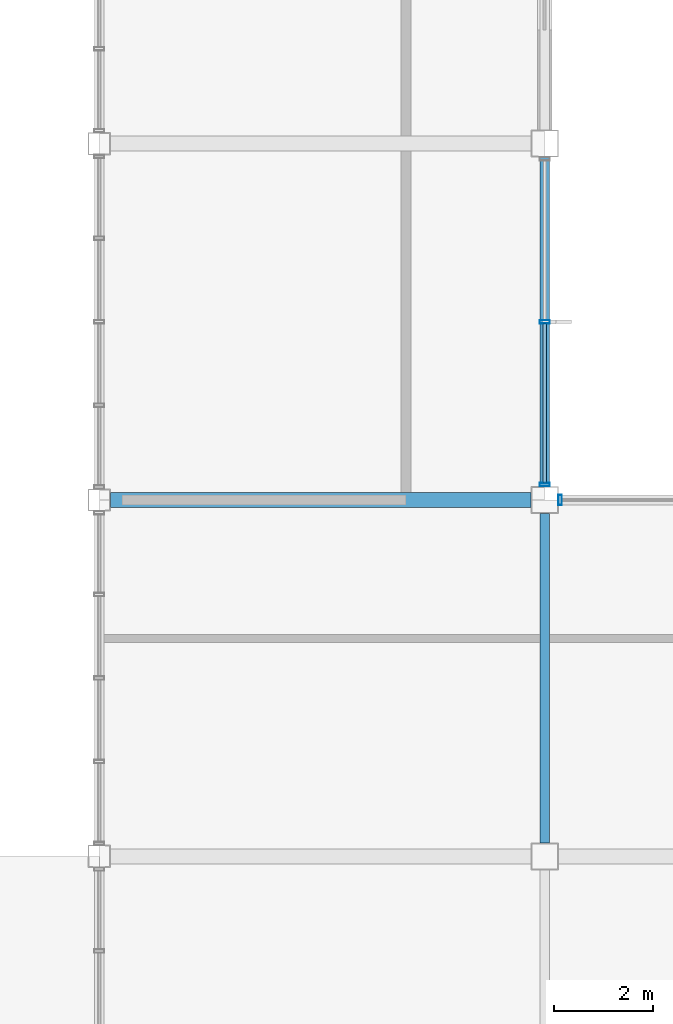
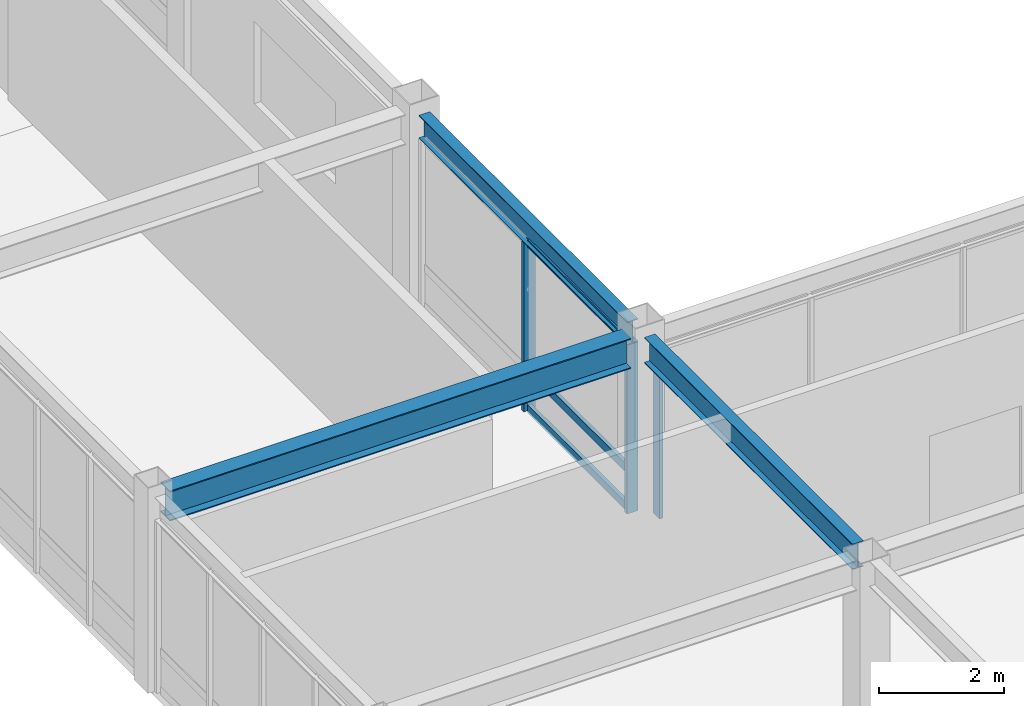
# One storey, part 33 of 113: 6 members, 3 beams, 2 elements without a shape of their own.
"""IFC4 building model written with IfcOpenShell, lengths in metres."""

from ifc_helpers import new_model, si_unit, direction, frame, origin, origin_2d, place, context, subcontext, project, spatial, hollow_rectangle, i_section, extrude, material, material_profile, profile_set, type_object, element, aggregate, save


model = new_model("IFC4")

# Units and contexts
model_context = context("Model", 3, precision=1e-05, world=origin(), true_north=direction((0.0, 1.0)))
body_context = subcontext(model_context, "Body", "Model", "MODEL_VIEW")
ifc_project = project(units=[si_unit("LENGTHUNIT", "METRE"), si_unit("AREAUNIT", "SQUARE_METRE"), si_unit("VOLUMEUNIT", "CUBIC_METRE"), si_unit("PLANEANGLEUNIT", "RADIAN"), si_unit("MASSUNIT", "GRAM", prefix="KILO")], contexts=[model_context])

# Site, building, storey
site_placement = place(None, origin())
site = spatial("IfcSite", under=ifc_project, at=site_placement, CompositionType="ELEMENT")
building_placement = place(site_placement, origin())
building = spatial("IfcBuilding", under=site, at=building_placement, Name="Kazanami Central Library", CompositionType="ELEMENT")
storey_placement = place(building_placement, frame((0.0, 0.0, 8.800048828125)))
storey = spatial("IfcBuildingStorey", under=building, at=storey_placement, Name="L03", CompositionType="ELEMENT", Elevation=8.800048828125)

# Beams
ifc_material_1 = material(Name="Steel SN490B (325 MPa)", Category="steel")
ifc_material_profile_1 = material_profile(ifc_material_1, i_section(OverallWidth=0.300048828125, OverallDepth=0.587890625, WebThickness=0.011962890625, FlangeThickness=0.02001953125, at=origin_2d()), Name="H-588x300x12x20")
ifc_profile_set_1 = profile_set([ifc_material_profile_1], Name="Steel SN490B (325 MPa)")
beam_type_1 = type_object("IfcBeamType", Name="BM-G-X2", PredefinedType="BEAM", material=ifc_profile_set_1)
beam_1_placement = place(storey_placement, frame((45.222900390625, 36.0, 3.450927734375), z_axis=(1.0, 0.0, 0.0), x_axis=(0.0, 1.0, 0.0)))
element("IfcBeam", 1, at=beam_1_placement, inside=storey, type_object=beam_type_1, Name="Girder G-X2 L03 F/6-7", PredefinedType="BEAM", context=body_context, shape_type="SweptSolid", body=[
    extrude(i_section(OverallWidth=0.300048828125, OverallDepth=0.587890625, WebThickness=0.011962890625, FlangeThickness=0.02001953125, at=origin_2d()), origin(), (0.0, 0.0, 1.0), 8.504150390625),
])
ifc_material_profile_2 = material_profile(ifc_material_1, i_section(OverallWidth=0.199951171875, OverallDepth=0.5, WebThickness=0.010009765625, FlangeThickness=0.01611328125, at=origin_2d()), Name="H-500x200x10x16")
ifc_profile_set_2 = profile_set([ifc_material_profile_2], Name="Steel SN490B (325 MPa)")
beam_type_2 = type_object("IfcBeamType", Name="BM-G-Y2", PredefinedType="BEAM", material=ifc_profile_set_2)
beam_2_placement = place(storey_placement, frame((54.0, 29.072998046875, 3.530029296875), z_axis=(0.0, 1.0, 0.0), x_axis=(-1.0, 0.0, 0.0)))
element("IfcBeam", 2, at=beam_2_placement, inside=storey, type_object=beam_type_2, Name="Girder G-Y2 L03 7/E-F", PredefinedType="BEAM", context=body_context, shape_type="SweptSolid", body=[
    extrude(i_section(OverallWidth=0.199951171875, OverallDepth=0.5, WebThickness=0.010009765625, FlangeThickness=0.01611328125, at=origin_2d()), origin(), (0.0, 0.0, 1.0), 6.654052734375),
])
ifc_material_profile_3 = material_profile(ifc_material_1, i_section(OverallWidth=0.199951171875, OverallDepth=0.449951171875, WebThickness=0.009033203125, FlangeThickness=0.013916015625, at=origin_2d()), Name="H-450x200x9x14")
ifc_profile_set_3 = profile_set([ifc_material_profile_3], Name="Steel SN490B (325 MPa)")
beam_type_3 = type_object("IfcBeamType", Name="BM-SP-2", PredefinedType="SPANDREL", material=ifc_profile_set_3)
beam_3_placement = place(storey_placement, frame((54.0, 36.27294921875, 3.52001953125), z_axis=(0.0, 1.0, 0.0), x_axis=(-1.0, 0.0, 0.0)))
element("IfcBeam", 3, at=beam_3_placement, inside=storey, type_object=beam_type_3, Name="Girder SP-2 L03 7/F-G", PredefinedType="SPANDREL", context=body_context, shape_type="SweptSolid", body=[
    extrude(i_section(OverallWidth=0.199951171875, OverallDepth=0.449951171875, WebThickness=0.009033203125, FlangeThickness=0.013916015625, at=origin_2d()), origin(), (0.0, 0.0, 1.0), 6.654052734375),
])

# Curtain wall, member
ifc_material_2 = material(Name="Acid-Etched Low-E Laminated Glass", Category="glass")
curtain_wall_type_1 = type_object("IfcCurtainWallType", Name="CW-8450x3330-M275", PredefinedType="USERDEFINED", material=ifc_material_2)
curtain_wall_1_placement = place(storey_placement, origin())
curtain_wall_1 = element("IfcCurtainWall", 4, at=curtain_wall_1_placement, inside=storey, type_object=curtain_wall_type_1, Name="Unitised Curtain Wall CW-25 L03 N-F-06", ObjectType="UNITISED CURTAIN WALL", PredefinedType="USERDEFINED")
ifc_material_3 = material(Name="Anodised Aluminium A6063-T5", Category="aluminium")
ifc_material_profile_4 = material_profile(ifc_material_3, hollow_rectangle(XDim=0.070068359375, YDim=0.2099609375, WallThickness=0.0048828125, at=origin_2d()), Name="ALU-MULL-70x210x5")
ifc_profile_set_4 = profile_set([ifc_material_profile_4], Name="Anodised Aluminium A6063-T5")
member_type_1 = type_object("IfcMemberType", Name="MEM-CW-M1", PredefinedType="MULLION", material=ifc_profile_set_4)
member_1_placement = place(storey_placement, frame((54.31005859375, 36.0, 0.0), z_axis=(0.0, 0.0, 1.0), x_axis=(-1.0, 0.0, 0.0)))
member_1 = element("IfcMember", 5, at=member_1_placement, type_object=member_type_1, Name="CW-25 mullion 4", PredefinedType="MULLION", context=body_context, shape_type="SweptSolid", body=[
    extrude(hollow_rectangle(XDim=0.070068359375, YDim=0.2099609375, WallThickness=0.0048828125, at=origin_2d()), origin(), (0.0, 0.0, 1.0), 3.329833984375),
])
aggregate(curtain_wall_1, [member_1])

# Curtain wall, members
curtain_wall_type_2 = type_object("IfcCurtainWallType", Name="CW-6650x3295-M275", PredefinedType="USERDEFINED", material=ifc_material_2)
curtain_wall_2_placement = place(storey_placement, origin())
curtain_wall_2 = element("IfcCurtainWall", 6, at=curtain_wall_2_placement, inside=storey, type_object=curtain_wall_type_2, Name="Unitised Curtain Wall CW-35 L03 E-7-05", ObjectType="UNITISED CURTAIN WALL", PredefinedType="USERDEFINED")
member_2_placement = place(storey_placement, frame((54.0, 39.60009765625, 0.0), z_axis=(0.0, 0.0, 1.0), x_axis=(0.0, -1.0, 0.0)))
member_2 = element("IfcMember", 7, at=member_2_placement, type_object=member_type_1, Name="CW-35 mullion 2", PredefinedType="MULLION", context=body_context, shape_type="SweptSolid", body=[
    extrude(hollow_rectangle(XDim=0.070068359375, YDim=0.2099609375, WallThickness=0.0048828125, at=origin_2d()), origin(), (0.0, 0.0, 1.0), 3.294921875),
])
member_3_placement = place(storey_placement, frame((54.0, 36.31005859375, 0.0), z_axis=(0.0, 0.0, 1.0), x_axis=(0.0, -1.0, 0.0)))
member_3 = element("IfcMember", 8, at=member_3_placement, type_object=member_type_1, Name="CW-35 mullion 3", PredefinedType="MULLION", context=body_context, shape_type="SweptSolid", body=[
    extrude(hollow_rectangle(XDim=0.070068359375, YDim=0.2099609375, WallThickness=0.0048828125, at=origin_2d()), origin(), (0.0, 0.0, 1.0), 3.294921875),
])
ifc_material_profile_5 = material_profile(ifc_material_3, hollow_rectangle(XDim=0.070068359375, YDim=0.159912109375, WallThickness=0.00390625, at=origin_2d()), Name="ALU-TRAN-70x160x4")
ifc_profile_set_5 = profile_set([ifc_material_profile_5], Name="Anodised Aluminium A6063-T5")
member_type_2 = type_object("IfcMemberType", Name="MEM-CW-T1", PredefinedType="USERDEFINED", material=ifc_profile_set_5)
member_4_placement = place(storey_placement, frame((54.0, 39.56494140625, 0.034912109375), z_axis=(0.0, -1.0, 0.0), x_axis=(1.0, 0.0, 0.0)))
member_4 = element("IfcMember", 9, at=member_4_placement, type_object=member_type_2, Name="CW-35 transom 2.1", ObjectType="TRANSOM", PredefinedType="USERDEFINED", context=body_context, shape_type="SweptSolid", body=[
    extrude(hollow_rectangle(XDim=0.070068359375, YDim=0.159912109375, WallThickness=0.00390625, at=origin_2d()), origin(), (0.0, 0.0, 1.0), 3.219970703125),
])
member_5_placement = place(storey_placement, frame((54.0, 39.56494140625, 0.780029296875), z_axis=(0.0, -1.0, 0.0), x_axis=(1.0, 0.0, 0.0)))
member_5 = element("IfcMember", 10, at=member_5_placement, type_object=member_type_2, Name="CW-35 transom 2.2", ObjectType="TRANSOM", PredefinedType="USERDEFINED", context=body_context, shape_type="SweptSolid", body=[
    extrude(hollow_rectangle(XDim=0.070068359375, YDim=0.159912109375, WallThickness=0.00390625, at=origin_2d()), origin(), (0.0, 0.0, 1.0), 3.219970703125),
])
member_6_placement = place(storey_placement, frame((54.0, 39.56494140625, 3.260009765625), z_axis=(0.0, -1.0, 0.0), x_axis=(1.0, 0.0, 0.0)))
member_6 = element("IfcMember", 11, at=member_6_placement, type_object=member_type_2, Name="CW-35 transom 2.3", ObjectType="TRANSOM", PredefinedType="USERDEFINED", context=body_context, shape_type="SweptSolid", body=[
    extrude(hollow_rectangle(XDim=0.070068359375, YDim=0.159912109375, WallThickness=0.00390625, at=origin_2d()), origin(), (0.0, 0.0, 1.0), 3.219970703125),
])
aggregate(curtain_wall_2, [member_2, member_3, member_4, member_5, member_6])

save(model, "model.ifc")
